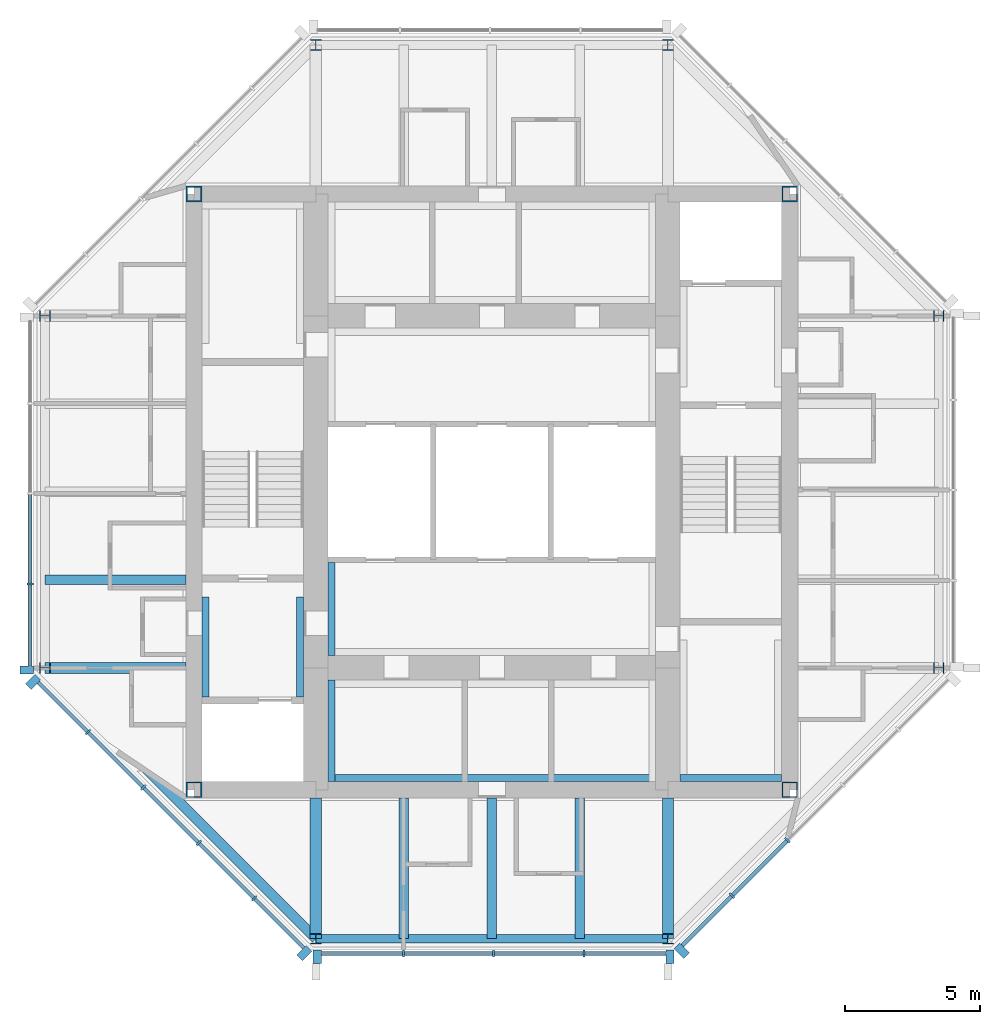
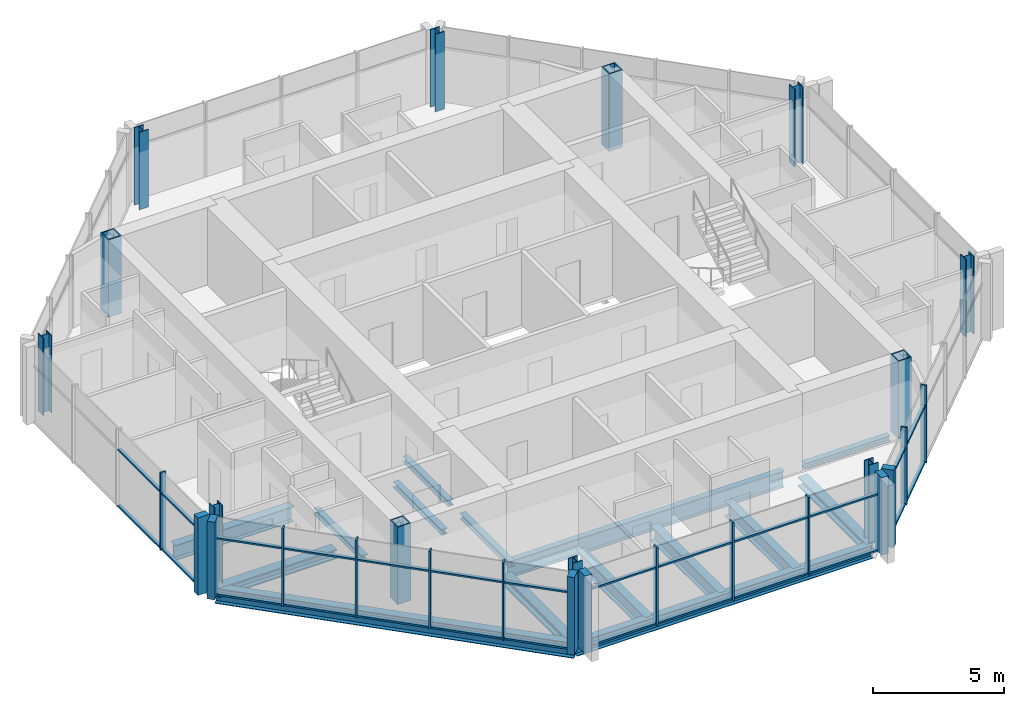
# One storey, part 1 of 9: 42 members, 15 beams, 12 columns, 4 elements without a shape of their own.
"""IFC4 building model written with IfcOpenShell, lengths in metres."""

from ifc_helpers import new_model, si_unit, direction, frame, origin, origin_2d, place, context, subcontext, project, spatial, rectangle, hollow_rectangle, i_section, extrude, material, material_profile, profile_set, type_object, element, aggregate, save


model = new_model("IFC4")

# Units and contexts
model_context = context("Model", 3, precision=1e-05, world=origin(), true_north=direction((0.0, 1.0)))
body_context = subcontext(model_context, "Body", "Model", "MODEL_VIEW")
ifc_project = project(units=[si_unit("LENGTHUNIT", "METRE"), si_unit("AREAUNIT", "SQUARE_METRE"), si_unit("VOLUMEUNIT", "CUBIC_METRE"), si_unit("PLANEANGLEUNIT", "RADIAN"), si_unit("MASSUNIT", "GRAM", prefix="KILO")], contexts=[model_context])

# Site, building, storey
site_placement = place(None, origin())
site = spatial("IfcSite", under=ifc_project, at=site_placement, CompositionType="ELEMENT")
building_placement = place(site_placement, origin())
building = spatial("IfcBuilding", under=site, at=building_placement, Name="Trevanion Tower", CompositionType="ELEMENT")
storey_placement = place(building_placement, frame((0.0, 0.0, 288.39990234375)))
storey = spatial("IfcBuildingStorey", under=building, at=storey_placement, Name="L71", CompositionType="ELEMENT", Elevation=288.39990234375)

# Columns
ifc_material_1 = material(Name="Steel ASTM A913 Grade 65", Category="steel")
ifc_material_profile_1 = material_profile(ifc_material_1, i_section(OverallWidth=0.4013671875, OverallDepth=0.398681640625, WebThickness=0.02490234375, FlangeThickness=0.03955078125, at=origin_2d()), Name="W14X211")
ifc_profile_set_1 = profile_set([ifc_material_profile_1], Name="Steel ASTM A913 Grade 65")
column_type_1 = type_object("IfcColumnType", Name="C6 W14X211", PredefinedType="COLUMN", material=ifc_profile_set_1)
for number, where, z_axis, x_axis, name in (
    (1, (-16.5, -6.5, 0.0), (0.0, 0.0, 1.0), (0.0, 1.0, 0.0), "C6 7/G L71"),
    (2, (-6.5, -16.5, 0.0), (0.0, 0.0, 1.0), (1.0, 0.0, 0.0), "C6 9/E L71"),
    (3, (6.5, -16.5, 0.0), (0.0, 0.0, 1.0), (1.0, 0.0, 0.0), "C6 11/E L71"),
    (4, (16.5, -6.5, 0.0), (0.0, 0.0, 1.0), (0.0, 1.0, 0.0), "C6 13/G L71"),
    (5, (16.5, 6.5, 0.0), (0.0, 0.0, 1.0), (0.0, 1.0, 0.0), "C6 13/J L71"),
    (6, (6.5, 16.5, 0.0), (0.0, 0.0, 1.0), (1.0, 0.0, 0.0), "C6 11/L L71"),
    (7, (-6.5, 16.5, 0.0), (0.0, 0.0, 1.0), (1.0, 0.0, 0.0), "C6 9/L L71"),
    (8, (-16.5, 6.5, 0.0), (0.0, 0.0, 1.0), (0.0, 1.0, 0.0), "C6 7/J L71"),
):
    element("IfcColumn", number, at=place(storey_placement, frame(where, z_axis=z_axis, x_axis=x_axis)), inside=storey, type_object=column_type_1, Name=name, PredefinedType="COLUMN", context=body_context, shape_type="SweptSolid", body=[
        extrude(i_section(OverallWidth=0.4013671875, OverallDepth=0.398681640625, WebThickness=0.02490234375, FlangeThickness=0.03955078125, at=origin_2d()), origin(), (0.0, 0.0, 1.0), 3.60009765625),
    ])
ifc_material_2 = material(Name="Steel ASTM A572 Grade 50", Category="steel")
ifc_material_profile_2 = material_profile(ifc_material_2, hollow_rectangle(XDim=0.584228515625, YDim=0.584228515625, WallThickness=0.05078125, at=origin_2d()), Name="BOX23X23X2")
ifc_profile_set_2 = profile_set([ifc_material_profile_2], Name="Steel ASTM A572 Grade 50")
column_type_2 = type_object("IfcColumnType", Name="CB1 BOX23X23X2", PredefinedType="COLUMN", material=ifc_profile_set_2)
for number, where, z_axis, x_axis, name in (
    (9, (11.0, 11.0, 0.0), (0.0, 0.0, 1.0), (1.0, 0.0, 0.0), "CB1 NE L71"),
    (10, (-11.0, 11.0, 0.0), (0.0, 0.0, 1.0), (1.0, 0.0, 0.0), "CB1 NW L71"),
    (11, (-11.0, -11.0, 0.0), (0.0, 0.0, 1.0), (1.0, 0.0, 0.0), "CB1 SW L71"),
    (12, (11.0, -11.0, 0.0), (0.0, 0.0, 1.0), (1.0, 0.0, 0.0), "CB1 SE L71"),
):
    element("IfcColumn", number, at=place(storey_placement, frame(where, z_axis=z_axis, x_axis=x_axis)), inside=storey, type_object=column_type_2, Name=name, PredefinedType="COLUMN", context=body_context, shape_type="SweptSolid", body=[
        extrude(hollow_rectangle(XDim=0.584228515625, YDim=0.584228515625, WallThickness=0.05078125, at=origin_2d()), origin(), (0.0, 0.0, 1.0), 3.60009765625),
    ])

# Beams
ifc_material_3 = material(Name="Steel ASTM A992 Grade 50", Category="steel")
ifc_material_profile_3 = material_profile(ifc_material_3, i_section(OverallWidth=0.355712890625, OverallDepth=0.700927734375, WebThickness=0.016845703125, FlangeThickness=0.02734375, at=origin_2d()), Name="W27X161")
ifc_profile_set_3 = profile_set([ifc_material_profile_3], Name="Steel ASTM A992 Grade 50")
beam_type_1 = type_object("IfcBeamType", Name="B15 W27X161", PredefinedType="BEAM", material=ifc_profile_set_3)
for number, where, z_axis, x_axis, name in (
    (13, (-11.300048828125, -3.25, -0.540283203125), (-1.0, 0.0, 0.0), (0.0, -1.0, 0.0), "B15 L71"),
    (14, (-3.25, -11.300048828125, -0.540283203125), (0.0, -1.0, 0.0), (1.0, 0.0, 0.0), "B15 L71"),
    (15, (0.0, -11.300048828125, -0.540283203125), (0.0, -1.0, 0.0), (1.0, 0.0, 0.0), "B15 L71"),
    (16, (3.25, -11.300048828125, -0.540283203125), (0.0, -1.0, 0.0), (1.0, 0.0, 0.0), "B15 L71"),
):
    element("IfcBeam", number, at=place(storey_placement, frame(where, z_axis=z_axis, x_axis=x_axis)), inside=storey, type_object=beam_type_1, Name=name, PredefinedType="BEAM", context=body_context, shape_type="SweptSolid", body=[
        extrude(i_section(OverallWidth=0.355712890625, OverallDepth=0.700927734375, WebThickness=0.016845703125, FlangeThickness=0.02734375, at=origin_2d()), origin(), (0.0, 0.0, 1.0), 5.199951171875),
    ])

# Curtain wall, member
ifc_material_4 = material(Name="Aluminium and glass", Category="aluminium")
curtain_wall_type = type_object("IfcCurtainWallType", Name="CW4 curtain wall", PredefinedType="USERDEFINED", material=ifc_material_4)
curtain_wall_1_placement = place(storey_placement, origin())
curtain_wall_1 = element("IfcCurtainWall", 17, at=curtain_wall_1_placement, inside=storey, type_object=curtain_wall_type, Name="CW4 L71 4", ObjectType="UNITISED CURTAIN WALL", PredefinedType="USERDEFINED")
ifc_material_5 = material(Name="Aluminium extrusion, anodised bronze", Category="aluminium")
ifc_material_profile_4 = material_profile(ifc_material_5, rectangle(XDim=0.074951171875, YDim=0.25, at=origin_2d()), Name="CW4 mullion")
ifc_profile_set_4 = profile_set([ifc_material_profile_4], Name="Aluminium extrusion, anodised bronze")
member_type_1 = type_object("IfcMemberType", Name="CW4 mullion", PredefinedType="MULLION", material=ifc_profile_set_4)
member_1_placement = place(storey_placement, frame((-17.050048828125, -3.396484375, -0.18994140625), z_axis=(0.0, 0.0, 1.0), x_axis=(0.0, -1.0, 0.0)))
member_1 = element("IfcMember", 18, at=member_1_placement, type_object=member_type_1, Name="CW4 mullion 4", PredefinedType="MULLION", context=body_context, shape_type="SweptSolid", body=[
    extrude(rectangle(XDim=0.074951171875, YDim=0.25, at=origin_2d()), origin(), (0.0, 0.0, 1.0), 3.60009765625),
])

# Curtain wall, members
curtain_wall_2_placement = place(storey_placement, origin())
curtain_wall_2 = element("IfcCurtainWall", 19, at=curtain_wall_2_placement, inside=storey, type_object=curtain_wall_type, Name="CW4 L71 5", ObjectType="UNITISED CURTAIN WALL", PredefinedType="USERDEFINED")
member_2_placement = place(storey_placement, frame((-14.912109375, -8.86572265625, -0.18994140625), z_axis=(0.0, 0.0, 1.0), x_axis=(0.707106781187, -0.707106781187, 0.0)))
member_2 = element("IfcMember", 20, at=member_2_placement, type_object=member_type_1, Name="CW4 mullion 2", PredefinedType="MULLION", context=body_context, shape_type="SweptSolid", body=[
    extrude(rectangle(XDim=0.074951171875, YDim=0.25, at=origin_2d()), origin(), (0.0, 0.0, 1.0), 3.60009765625),
])
member_3_placement = place(storey_placement, frame((-12.865966796875, -10.911865234375, -0.18994140625), z_axis=(0.0, 0.0, 1.0), x_axis=(0.707106781187, -0.707106781187, 0.0)))
member_3 = element("IfcMember", 21, at=member_3_placement, type_object=member_type_1, Name="CW4 mullion 3", PredefinedType="MULLION", context=body_context, shape_type="SweptSolid", body=[
    extrude(rectangle(XDim=0.074951171875, YDim=0.25, at=origin_2d()), origin(), (0.0, 0.0, 1.0), 3.60009765625),
])
member_4_placement = place(storey_placement, frame((-10.81982421875, -12.9580078125, -0.18994140625), z_axis=(0.0, 0.0, 1.0), x_axis=(0.707106781187, -0.707106781187, 0.0)))
member_4 = element("IfcMember", 22, at=member_4_placement, type_object=member_type_1, Name="CW4 mullion 4", PredefinedType="MULLION", context=body_context, shape_type="SweptSolid", body=[
    extrude(rectangle(XDim=0.074951171875, YDim=0.25, at=origin_2d()), origin(), (0.0, 0.0, 1.0), 3.60009765625),
])
member_5_placement = place(storey_placement, frame((-8.77392578125, -15.00390625, -0.18994140625), z_axis=(0.0, 0.0, 1.0), x_axis=(0.707106781187, -0.707106781187, 0.0)))
member_5 = element("IfcMember", 23, at=member_5_placement, type_object=member_type_1, Name="CW4 mullion 5", PredefinedType="MULLION", context=body_context, shape_type="SweptSolid", body=[
    extrude(rectangle(XDim=0.074951171875, YDim=0.25, at=origin_2d()), origin(), (0.0, 0.0, 1.0), 3.60009765625),
])

curtain_wall_3_placement = place(storey_placement, origin())
curtain_wall_3 = element("IfcCurtainWall", 24, at=curtain_wall_3_placement, inside=storey, type_object=curtain_wall_type, Name="CW4 L71 6", ObjectType="UNITISED CURTAIN WALL", PredefinedType="USERDEFINED")
member_6_placement = place(storey_placement, frame((-3.266357421875, -17.050048828125, -0.18994140625), z_axis=(0.0, 0.0, 1.0), x_axis=(1.0, 0.0, 0.0)))
member_6 = element("IfcMember", 25, at=member_6_placement, type_object=member_type_1, Name="CW4 mullion 2", PredefinedType="MULLION", context=body_context, shape_type="SweptSolid", body=[
    extrude(rectangle(XDim=0.074951171875, YDim=0.25, at=origin_2d()), origin(), (0.0, 0.0, 1.0), 3.60009765625),
])
member_7_placement = place(storey_placement, frame((0.06494140625, -17.050048828125, -0.18994140625), z_axis=(0.0, 0.0, 1.0), x_axis=(1.0, 0.0, 0.0)))
member_7 = element("IfcMember", 26, at=member_7_placement, type_object=member_type_1, Name="CW4 mullion 3", PredefinedType="MULLION", context=body_context, shape_type="SweptSolid", body=[
    extrude(rectangle(XDim=0.074951171875, YDim=0.25, at=origin_2d()), origin(), (0.0, 0.0, 1.0), 3.60009765625),
])
member_8_placement = place(storey_placement, frame((3.396484375, -17.050048828125, -0.18994140625), z_axis=(0.0, 0.0, 1.0), x_axis=(1.0, 0.0, 0.0)))
member_8 = element("IfcMember", 27, at=member_8_placement, type_object=member_type_1, Name="CW4 mullion 4", PredefinedType="MULLION", context=body_context, shape_type="SweptSolid", body=[
    extrude(rectangle(XDim=0.074951171875, YDim=0.25, at=origin_2d()), origin(), (0.0, 0.0, 1.0), 3.60009765625),
])

curtain_wall_4_placement = place(storey_placement, origin())
curtain_wall_4 = element("IfcCurtainWall", 28, at=curtain_wall_4_placement, inside=storey, type_object=curtain_wall_type, Name="CW4 L71 7", ObjectType="UNITISED CURTAIN WALL", PredefinedType="USERDEFINED")
member_9_placement = place(storey_placement, frame((8.86572265625, -14.912109375, -0.18994140625), z_axis=(0.0, 0.0, 1.0), x_axis=(0.707106781187, 0.707106781187, 0.0)))
member_9 = element("IfcMember", 29, at=member_9_placement, type_object=member_type_1, Name="CW4 mullion 2", PredefinedType="MULLION", context=body_context, shape_type="SweptSolid", body=[
    extrude(rectangle(XDim=0.074951171875, YDim=0.25, at=origin_2d()), origin(), (0.0, 0.0, 1.0), 3.60009765625),
])
member_10_placement = place(storey_placement, frame((10.911865234375, -12.865966796875, -0.18994140625), z_axis=(0.0, 0.0, 1.0), x_axis=(0.707106781187, 0.707106781187, 0.0)))
member_10 = element("IfcMember", 30, at=member_10_placement, type_object=member_type_1, Name="CW4 mullion 3", PredefinedType="MULLION", context=body_context, shape_type="SweptSolid", body=[
    extrude(rectangle(XDim=0.074951171875, YDim=0.25, at=origin_2d()), origin(), (0.0, 0.0, 1.0), 3.60009765625),
])

# Member
ifc_material_6 = material(Name="Aluminium extrusion, anodised bronze", Category="aluminium")
ifc_material_profile_5 = material_profile(ifc_material_6, rectangle(XDim=0.300048828125, YDim=0.5, at=origin_2d()), Name="CW4 pier mullion")
ifc_profile_set_5 = profile_set([ifc_material_profile_5], Name="Aluminium extrusion, anodised bronze")
member_type_2 = type_object("IfcMemberType", Name="CW4 pier mullion", PredefinedType="MULLION", material=ifc_profile_set_5)
member_11_placement = place(storey_placement, frame((-17.175048828125, -6.577880859375, -0.18994140625), z_axis=(0.0, 0.0, 1.0), x_axis=(0.0, -1.0, 0.0)))
member_11 = element("IfcMember", 31, at=member_11_placement, type_object=member_type_2, Name="CW4 pier mullion 5", PredefinedType="MULLION", context=body_context, shape_type="SweptSolid", body=[
    extrude(rectangle(XDim=0.300048828125, YDim=0.5, at=origin_2d()), origin(), (0.0, 0.0, 1.0), 3.60009765625),
])

member_12_placement = place(storey_placement, frame((-16.9404296875, -7.01416015625, -0.18994140625), z_axis=(0.0, 0.0, 1.0), x_axis=(0.707106781187, -0.707106781187, 0.0)))
member_12 = element("IfcMember", 32, at=member_12_placement, type_object=member_type_2, Name="CW4 pier mullion 1", PredefinedType="MULLION", context=body_context, shape_type="SweptSolid", body=[
    extrude(rectangle(XDim=0.300048828125, YDim=0.5, at=origin_2d()), origin(), (0.0, 0.0, 1.0), 3.60009765625),
])

member_13_placement = place(storey_placement, frame((-6.92236328125, -17.0322265625, -0.18994140625), z_axis=(0.0, 0.0, 1.0), x_axis=(0.707106781187, -0.707106781187, 0.0)))
member_13 = element("IfcMember", 33, at=member_13_placement, type_object=member_type_2, Name="CW4 pier mullion 6", PredefinedType="MULLION", context=body_context, shape_type="SweptSolid", body=[
    extrude(rectangle(XDim=0.300048828125, YDim=0.5, at=origin_2d()), origin(), (0.0, 0.0, 1.0), 3.60009765625),
])

member_14_placement = place(storey_placement, frame((-6.44775390625, -17.175048828125, -0.18994140625), z_axis=(0.0, 0.0, 1.0), x_axis=(1.0, 0.0, 0.0)))
member_14 = element("IfcMember", 34, at=member_14_placement, type_object=member_type_2, Name="CW4 pier mullion 1", PredefinedType="MULLION", context=body_context, shape_type="SweptSolid", body=[
    extrude(rectangle(XDim=0.300048828125, YDim=0.5, at=origin_2d()), origin(), (0.0, 0.0, 1.0), 3.60009765625),
])

member_15_placement = place(storey_placement, frame((6.577880859375, -17.175048828125, -0.18994140625), z_axis=(0.0, 0.0, 1.0), x_axis=(1.0, 0.0, 0.0)))
member_15 = element("IfcMember", 35, at=member_15_placement, type_object=member_type_2, Name="CW4 pier mullion 5", PredefinedType="MULLION", context=body_context, shape_type="SweptSolid", body=[
    extrude(rectangle(XDim=0.300048828125, YDim=0.5, at=origin_2d()), origin(), (0.0, 0.0, 1.0), 3.60009765625),
])

member_16_placement = place(storey_placement, frame((7.01416015625, -16.9404296875, -0.18994140625), z_axis=(0.0, 0.0, 1.0), x_axis=(0.707106781187, 0.707106781187, 0.0)))
member_16 = element("IfcMember", 36, at=member_16_placement, type_object=member_type_2, Name="CW4 pier mullion 1", PredefinedType="MULLION", context=body_context, shape_type="SweptSolid", body=[
    extrude(rectangle(XDim=0.300048828125, YDim=0.5, at=origin_2d()), origin(), (0.0, 0.0, 1.0), 3.60009765625),
])

ifc_material_7 = material(Name="Aluminium extrusion, anodised bronze", Category="aluminium")
ifc_material_profile_6 = material_profile(ifc_material_7, rectangle(XDim=0.14990234375, YDim=0.074951171875, at=origin_2d()), Name="CW4 transom")
ifc_profile_set_6 = profile_set([ifc_material_profile_6], Name="Aluminium extrusion, anodised bronze")
member_type_3 = type_object("IfcMemberType", Name="CW4 transom", PredefinedType="USERDEFINED", material=ifc_profile_set_6)
member_17_placement = place(storey_placement, frame((-17.050048828125, -0.1025390625, -0.15234375), z_axis=(0.0, -1.0, 0.0), x_axis=(1.0, 0.0, 0.0)))
member_17 = element("IfcMember", 37, at=member_17_placement, type_object=member_type_3, Name="CW4 transom 3.1", ObjectType="TRANSOM", PredefinedType="USERDEFINED", context=body_context, shape_type="SweptSolid", body=[
    extrude(rectangle(XDim=0.14990234375, YDim=0.074951171875, at=origin_2d()), origin(), (0.0, 0.0, 1.0), 3.25634765625),
])

member_18_placement = place(storey_placement, frame((-17.050048828125, -0.1025390625, 2.460205078125), z_axis=(0.0, -1.0, 0.0), x_axis=(1.0, 0.0, 0.0)))
member_18 = element("IfcMember", 38, at=member_18_placement, type_object=member_type_3, Name="CW4 transom 3.2", ObjectType="TRANSOM", PredefinedType="USERDEFINED", context=body_context, shape_type="SweptSolid", body=[
    extrude(rectangle(XDim=0.14990234375, YDim=0.074951171875, at=origin_2d()), origin(), (0.0, 0.0, 1.0), 3.25634765625),
])

member_19_placement = place(storey_placement, frame((-17.050048828125, -3.433837890625, -0.15234375), z_axis=(0.0, -1.0, 0.0), x_axis=(1.0, 0.0, 0.0)))
member_19 = element("IfcMember", 39, at=member_19_placement, type_object=member_type_3, Name="CW4 transom 4.1", ObjectType="TRANSOM", PredefinedType="USERDEFINED", context=body_context, shape_type="SweptSolid", body=[
    extrude(rectangle(XDim=0.14990234375, YDim=0.074951171875, at=origin_2d()), origin(), (0.0, 0.0, 1.0), 2.993896484375),
])

member_20_placement = place(storey_placement, frame((-17.050048828125, -3.433837890625, 2.460205078125), z_axis=(0.0, -1.0, 0.0), x_axis=(1.0, 0.0, 0.0)))
member_20 = element("IfcMember", 40, at=member_20_placement, type_object=member_type_3, Name="CW4 transom 4.2", ObjectType="TRANSOM", PredefinedType="USERDEFINED", context=body_context, shape_type="SweptSolid", body=[
    extrude(rectangle(XDim=0.14990234375, YDim=0.074951171875, at=origin_2d()), origin(), (0.0, 0.0, 1.0), 2.993896484375),
])

aggregate(curtain_wall_1, [member_1, member_11, member_17, member_18, member_19, member_20])

member_21_placement = place(storey_placement, frame((-16.745849609375, -7.031982421875, -0.15234375), z_axis=(0.707106781187, -0.707106781187, 0.0), x_axis=(0.707106781187, 0.707106781187, 0.0)))
member_21 = element("IfcMember", 41, at=member_21_placement, type_object=member_type_3, Name="CW4 transom 1.1", ObjectType="TRANSOM", PredefinedType="USERDEFINED", context=body_context, shape_type="SweptSolid", body=[
    extrude(rectangle(XDim=0.14990234375, YDim=0.074951171875, at=origin_2d()), origin(), (0.0, 0.0, 1.0), 2.555908203125),
])

member_22_placement = place(storey_placement, frame((-16.745849609375, -7.031982421875, 2.460205078125), z_axis=(0.707106781187, -0.707106781187, 0.0), x_axis=(0.707106781187, 0.707106781187, 0.0)))
member_22 = element("IfcMember", 42, at=member_22_placement, type_object=member_type_3, Name="CW4 transom 1.2", ObjectType="TRANSOM", PredefinedType="USERDEFINED", context=body_context, shape_type="SweptSolid", body=[
    extrude(rectangle(XDim=0.14990234375, YDim=0.074951171875, at=origin_2d()), origin(), (0.0, 0.0, 1.0), 2.555908203125),
])

member_23_placement = place(storey_placement, frame((-14.885498046875, -8.892333984375, -0.15234375), z_axis=(0.707106781187, -0.707106781187, 0.0), x_axis=(0.707106781187, 0.707106781187, 0.0)))
member_23 = element("IfcMember", 43, at=member_23_placement, type_object=member_type_3, Name="CW4 transom 2.1", ObjectType="TRANSOM", PredefinedType="USERDEFINED", context=body_context, shape_type="SweptSolid", body=[
    extrude(rectangle(XDim=0.14990234375, YDim=0.074951171875, at=origin_2d()), origin(), (0.0, 0.0, 1.0), 2.818359375),
])

member_24_placement = place(storey_placement, frame((-14.885498046875, -8.892333984375, 2.460205078125), z_axis=(0.707106781187, -0.707106781187, 0.0), x_axis=(0.707106781187, 0.707106781187, 0.0)))
member_24 = element("IfcMember", 44, at=member_24_placement, type_object=member_type_3, Name="CW4 transom 2.2", ObjectType="TRANSOM", PredefinedType="USERDEFINED", context=body_context, shape_type="SweptSolid", body=[
    extrude(rectangle(XDim=0.14990234375, YDim=0.074951171875, at=origin_2d()), origin(), (0.0, 0.0, 1.0), 2.818359375),
])

member_25_placement = place(storey_placement, frame((-12.839599609375, -10.9384765625, -0.15234375), z_axis=(0.707150088905, -0.707063470815, 0.0), x_axis=(0.707063470815, 0.707150088905, 0.0)))
member_25 = element("IfcMember", 45, at=member_25_placement, type_object=member_type_3, Name="CW4 transom 3.1", ObjectType="TRANSOM", PredefinedType="USERDEFINED", context=body_context, shape_type="SweptSolid", body=[
    extrude(rectangle(XDim=0.14990234375, YDim=0.074951171875, at=origin_2d()), origin(), (0.0, 0.0, 1.0), 2.818603515625),
])

member_26_placement = place(storey_placement, frame((-12.839599609375, -10.9384765625, 2.460205078125), z_axis=(0.707150088905, -0.707063470815, 0.0), x_axis=(0.707063470815, 0.707150088905, 0.0)))
member_26 = element("IfcMember", 46, at=member_26_placement, type_object=member_type_3, Name="CW4 transom 3.2", ObjectType="TRANSOM", PredefinedType="USERDEFINED", context=body_context, shape_type="SweptSolid", body=[
    extrude(rectangle(XDim=0.14990234375, YDim=0.074951171875, at=origin_2d()), origin(), (0.0, 0.0, 1.0), 2.818603515625),
])

member_27_placement = place(storey_placement, frame((-10.79345703125, -12.984375, -0.15234375), z_axis=(0.707150088905, -0.707063470815, 0.0), x_axis=(0.707063470815, 0.707150088905, 0.0)))
member_27 = element("IfcMember", 47, at=member_27_placement, type_object=member_type_3, Name="CW4 transom 4.1", ObjectType="TRANSOM", PredefinedType="USERDEFINED", context=body_context, shape_type="SweptSolid", body=[
    extrude(rectangle(XDim=0.14990234375, YDim=0.074951171875, at=origin_2d()), origin(), (0.0, 0.0, 1.0), 2.818603515625),
])

member_28_placement = place(storey_placement, frame((-10.79345703125, -12.984375, 2.460205078125), z_axis=(0.707150088905, -0.707063470815, 0.0), x_axis=(0.707063470815, 0.707150088905, 0.0)))
member_28 = element("IfcMember", 48, at=member_28_placement, type_object=member_type_3, Name="CW4 transom 4.2", ObjectType="TRANSOM", PredefinedType="USERDEFINED", context=body_context, shape_type="SweptSolid", body=[
    extrude(rectangle(XDim=0.14990234375, YDim=0.074951171875, at=origin_2d()), origin(), (0.0, 0.0, 1.0), 2.818603515625),
])

member_29_placement = place(storey_placement, frame((-8.747314453125, -15.030517578125, -0.15234375), z_axis=(0.707106781187, -0.707106781187, 0.0), x_axis=(0.707106781187, 0.707106781187, 0.0)))
member_29 = element("IfcMember", 49, at=member_29_placement, type_object=member_type_3, Name="CW4 transom 5.1", ObjectType="TRANSOM", PredefinedType="USERDEFINED", context=body_context, shape_type="SweptSolid", body=[
    extrude(rectangle(XDim=0.14990234375, YDim=0.074951171875, at=origin_2d()), origin(), (0.0, 0.0, 1.0), 2.555908203125),
])

member_30_placement = place(storey_placement, frame((-8.747314453125, -15.030517578125, 2.460205078125), z_axis=(0.707106781187, -0.707106781187, 0.0), x_axis=(0.707106781187, 0.707106781187, 0.0)))
member_30 = element("IfcMember", 50, at=member_30_placement, type_object=member_type_3, Name="CW4 transom 5.2", ObjectType="TRANSOM", PredefinedType="USERDEFINED", context=body_context, shape_type="SweptSolid", body=[
    extrude(rectangle(XDim=0.14990234375, YDim=0.074951171875, at=origin_2d()), origin(), (0.0, 0.0, 1.0), 2.555908203125),
])

aggregate(curtain_wall_2, [member_12, member_2, member_3, member_4, member_5, member_13, member_21, member_22, member_23, member_24, member_25, member_26, member_27, member_28, member_29, member_30])

member_31_placement = place(storey_placement, frame((-6.2978515625, -17.050048828125, -0.15234375), z_axis=(1.0, 0.0, 0.0), x_axis=(0.0, 1.0, 0.0)))
member_31 = element("IfcMember", 51, at=member_31_placement, type_object=member_type_3, Name="CW4 transom 1.1", ObjectType="TRANSOM", PredefinedType="USERDEFINED", context=body_context, shape_type="SweptSolid", body=[
    extrude(rectangle(XDim=0.14990234375, YDim=0.074951171875, at=origin_2d()), origin(), (0.0, 0.0, 1.0), 2.993896484375),
])

member_32_placement = place(storey_placement, frame((-6.2978515625, -17.050048828125, 2.460205078125), z_axis=(1.0, 0.0, 0.0), x_axis=(0.0, 1.0, 0.0)))
member_32 = element("IfcMember", 52, at=member_32_placement, type_object=member_type_3, Name="CW4 transom 1.2", ObjectType="TRANSOM", PredefinedType="USERDEFINED", context=body_context, shape_type="SweptSolid", body=[
    extrude(rectangle(XDim=0.14990234375, YDim=0.074951171875, at=origin_2d()), origin(), (0.0, 0.0, 1.0), 2.993896484375),
])

member_33_placement = place(storey_placement, frame((-3.22900390625, -17.050048828125, -0.15234375), z_axis=(1.0, 0.0, 0.0), x_axis=(0.0, 1.0, 0.0)))
member_33 = element("IfcMember", 53, at=member_33_placement, type_object=member_type_3, Name="CW4 transom 2.1", ObjectType="TRANSOM", PredefinedType="USERDEFINED", context=body_context, shape_type="SweptSolid", body=[
    extrude(rectangle(XDim=0.14990234375, YDim=0.074951171875, at=origin_2d()), origin(), (0.0, 0.0, 1.0), 3.256591796875),
])

member_34_placement = place(storey_placement, frame((-3.22900390625, -17.050048828125, 2.460205078125), z_axis=(1.0, 0.0, 0.0), x_axis=(0.0, 1.0, 0.0)))
member_34 = element("IfcMember", 54, at=member_34_placement, type_object=member_type_3, Name="CW4 transom 2.2", ObjectType="TRANSOM", PredefinedType="USERDEFINED", context=body_context, shape_type="SweptSolid", body=[
    extrude(rectangle(XDim=0.14990234375, YDim=0.074951171875, at=origin_2d()), origin(), (0.0, 0.0, 1.0), 3.256591796875),
])

member_35_placement = place(storey_placement, frame((0.1025390625, -17.050048828125, -0.15234375), z_axis=(1.0, 0.0, 0.0), x_axis=(0.0, 1.0, 0.0)))
member_35 = element("IfcMember", 55, at=member_35_placement, type_object=member_type_3, Name="CW4 transom 3.1", ObjectType="TRANSOM", PredefinedType="USERDEFINED", context=body_context, shape_type="SweptSolid", body=[
    extrude(rectangle(XDim=0.14990234375, YDim=0.074951171875, at=origin_2d()), origin(), (0.0, 0.0, 1.0), 3.25634765625),
])

member_36_placement = place(storey_placement, frame((0.1025390625, -17.050048828125, 2.460205078125), z_axis=(1.0, 0.0, 0.0), x_axis=(0.0, 1.0, 0.0)))
member_36 = element("IfcMember", 56, at=member_36_placement, type_object=member_type_3, Name="CW4 transom 3.2", ObjectType="TRANSOM", PredefinedType="USERDEFINED", context=body_context, shape_type="SweptSolid", body=[
    extrude(rectangle(XDim=0.14990234375, YDim=0.074951171875, at=origin_2d()), origin(), (0.0, 0.0, 1.0), 3.25634765625),
])

member_37_placement = place(storey_placement, frame((3.433837890625, -17.050048828125, -0.15234375), z_axis=(1.0, 0.0, 0.0), x_axis=(0.0, 1.0, 0.0)))
member_37 = element("IfcMember", 57, at=member_37_placement, type_object=member_type_3, Name="CW4 transom 4.1", ObjectType="TRANSOM", PredefinedType="USERDEFINED", context=body_context, shape_type="SweptSolid", body=[
    extrude(rectangle(XDim=0.14990234375, YDim=0.074951171875, at=origin_2d()), origin(), (0.0, 0.0, 1.0), 2.993896484375),
])

member_38_placement = place(storey_placement, frame((3.433837890625, -17.050048828125, 2.460205078125), z_axis=(1.0, 0.0, 0.0), x_axis=(0.0, 1.0, 0.0)))
member_38 = element("IfcMember", 58, at=member_38_placement, type_object=member_type_3, Name="CW4 transom 4.2", ObjectType="TRANSOM", PredefinedType="USERDEFINED", context=body_context, shape_type="SweptSolid", body=[
    extrude(rectangle(XDim=0.14990234375, YDim=0.074951171875, at=origin_2d()), origin(), (0.0, 0.0, 1.0), 2.993896484375),
])

aggregate(curtain_wall_3, [member_14, member_6, member_7, member_8, member_15, member_31, member_32, member_33, member_34, member_35, member_36, member_37, member_38])

member_39_placement = place(storey_placement, frame((7.031982421875, -16.745849609375, -0.15234375), z_axis=(0.707106781187, 0.707106781187, 0.0), x_axis=(-0.707106781187, 0.707106781187, 0.0)))
member_39 = element("IfcMember", 59, at=member_39_placement, type_object=member_type_3, Name="CW4 transom 1.1", ObjectType="TRANSOM", PredefinedType="USERDEFINED", context=body_context, shape_type="SweptSolid", body=[
    extrude(rectangle(XDim=0.14990234375, YDim=0.074951171875, at=origin_2d()), origin(), (0.0, 0.0, 1.0), 2.555908203125),
])

member_40_placement = place(storey_placement, frame((7.031982421875, -16.745849609375, 2.460205078125), z_axis=(0.707106781187, 0.707106781187, 0.0), x_axis=(-0.707106781187, 0.707106781187, 0.0)))
member_40 = element("IfcMember", 60, at=member_40_placement, type_object=member_type_3, Name="CW4 transom 1.2", ObjectType="TRANSOM", PredefinedType="USERDEFINED", context=body_context, shape_type="SweptSolid", body=[
    extrude(rectangle(XDim=0.14990234375, YDim=0.074951171875, at=origin_2d()), origin(), (0.0, 0.0, 1.0), 2.555908203125),
])

member_41_placement = place(storey_placement, frame((8.892333984375, -14.885498046875, -0.15234375), z_axis=(0.707106781187, 0.707106781187, 0.0), x_axis=(-0.707106781187, 0.707106781187, 0.0)))
member_41 = element("IfcMember", 61, at=member_41_placement, type_object=member_type_3, Name="CW4 transom 2.1", ObjectType="TRANSOM", PredefinedType="USERDEFINED", context=body_context, shape_type="SweptSolid", body=[
    extrude(rectangle(XDim=0.14990234375, YDim=0.074951171875, at=origin_2d()), origin(), (0.0, 0.0, 1.0), 2.818359375),
])

member_42_placement = place(storey_placement, frame((8.892333984375, -14.885498046875, 2.460205078125), z_axis=(0.707106781187, 0.707106781187, 0.0), x_axis=(-0.707106781187, 0.707106781187, 0.0)))
member_42 = element("IfcMember", 62, at=member_42_placement, type_object=member_type_3, Name="CW4 transom 2.2", ObjectType="TRANSOM", PredefinedType="USERDEFINED", context=body_context, shape_type="SweptSolid", body=[
    extrude(rectangle(XDim=0.14990234375, YDim=0.074951171875, at=origin_2d()), origin(), (0.0, 0.0, 1.0), 2.818359375),
])

aggregate(curtain_wall_4, [member_16, member_9, member_10, member_39, member_40, member_41, member_42])

# Beams
ifc_material_8 = material(Name="Steel ASTM A992 Grade 50", Category="steel")
ifc_material_profile_7 = material_profile(ifc_material_8, i_section(OverallWidth=0.41650390625, OverallDepth=0.444580078125, WebThickness=0.0390625, FlangeThickness=0.062744140625, at=origin_2d()), Name="W14X342")
ifc_profile_set_7 = profile_set([ifc_material_profile_7], Name="Steel ASTM A992 Grade 50")
beam_type_2 = type_object("IfcBeamType", Name="G8 W14X342", PredefinedType="BEAM", material=ifc_profile_set_7)
for number, where, z_axis, x_axis, name in (
    (63, (-11.300048828125, -6.5, -0.412109375), (-1.0, 0.0, 0.0), (0.0, -1.0, 0.0), "G8 L71"),
    (64, (-6.5, -11.300048828125, -0.412109375), (0.0, -1.0, 0.0), (1.0, 0.0, 0.0), "G8 L71"),
    (65, (6.5, -11.300048828125, -0.412109375), (0.0, -1.0, 0.0), (1.0, 0.0, 0.0), "G8 L71"),
):
    element("IfcBeam", number, at=place(storey_placement, frame(where, z_axis=z_axis, x_axis=x_axis)), inside=storey, type_object=beam_type_2, Name=name, PredefinedType="BEAM", context=body_context, shape_type="SweptSolid", body=[
        extrude(i_section(OverallWidth=0.41650390625, OverallDepth=0.444580078125, WebThickness=0.0390625, FlangeThickness=0.062744140625, at=origin_2d()), origin(), (0.0, 0.0, 1.0), 5.199951171875),
    ])
ifc_material_9 = material(Name="Steel ASTM A992 Grade 50", Category="steel")
ifc_material_profile_8 = material_profile(ifc_material_9, i_section(OverallWidth=0.256591796875, OverallDepth=0.26416015625, WebThickness=0.011962890625, FlangeThickness=0.01953125, at=origin_2d()), Name="W10X68")
ifc_profile_set_8 = profile_set([ifc_material_profile_8], Name="Steel ASTM A992 Grade 50")
beam_type_3 = type_object("IfcBeamType", Name="LB1 W10X68", PredefinedType="BEAM", material=ifc_profile_set_8)
beam_1_placement = place(storey_placement, frame((-5.921630859375, -6.050048828125, -0.33203125), z_axis=(0.0, 1.0, 0.0), x_axis=(-1.0, 0.0, 0.0)))
element("IfcBeam", 66, at=beam_1_placement, inside=storey, type_object=beam_type_3, Name="LB1 L71", PredefinedType="BEAM", context=body_context, shape_type="SweptSolid", body=[
    extrude(i_section(OverallWidth=0.256591796875, OverallDepth=0.26416015625, WebThickness=0.011962890625, FlangeThickness=0.01953125, at=origin_2d()), origin(), (0.0, 0.0, 1.0), 3.449951171875),
])
for number, where, z_axis, x_axis, name in (
    (67, (-10.57177734375, -7.574951171875, -0.33203125), (0.0, 1.0, 0.0), (-1.0, 0.0, 0.0), "LB1 L71"),
    (68, (-7.078369140625, -7.574951171875, -0.33203125), (0.0, 1.0, 0.0), (-1.0, 0.0, 0.0), "LB1 L71"),
):
    element("IfcBeam", number, at=place(storey_placement, frame(where, z_axis=z_axis, x_axis=x_axis)), inside=storey, type_object=beam_type_3, Name=name, PredefinedType="BEAM", context=body_context, shape_type="SweptSolid", body=[
        extrude(i_section(OverallWidth=0.256591796875, OverallDepth=0.26416015625, WebThickness=0.011962890625, FlangeThickness=0.01953125, at=origin_2d()), origin(), (0.0, 0.0, 1.0), 3.699951171875),
    ])
for number, where, z_axis, x_axis, name in (
    (69, (6.949951171875, -10.57177734375, -0.33203125), (1.0, 0.0, 0.0), (0.0, 1.0, 0.0), "LB1 L71"),
    (70, (-5.921630859375, -10.699951171875, -0.33203125), (0.0, 1.0, 0.0), (-1.0, 0.0, 0.0), "LB1 L71"),
):
    element("IfcBeam", number, at=place(storey_placement, frame(where, z_axis=z_axis, x_axis=x_axis)), inside=storey, type_object=beam_type_3, Name=name, PredefinedType="BEAM", context=body_context, shape_type="SweptSolid", body=[
        extrude(i_section(OverallWidth=0.256591796875, OverallDepth=0.26416015625, WebThickness=0.011962890625, FlangeThickness=0.01953125, at=origin_2d()), origin(), (0.0, 0.0, 1.0), 3.75),
    ])
ifc_material_10 = material(Name="Steel ASTM A992 Grade 50", Category="steel")
ifc_material_profile_9 = material_profile(ifc_material_10, i_section(OverallWidth=0.2666015625, OverallDepth=0.76953125, WebThickness=0.015625, FlangeThickness=0.025390625, at=origin_2d()), Name="W30X132")
ifc_profile_set_9 = profile_set([ifc_material_profile_9], Name="Steel ASTM A992 Grade 50")
beam_type_4 = type_object("IfcBeamType", Name="LB3 W30X132", PredefinedType="BEAM", material=ifc_profile_set_9)
beam_2_placement = place(storey_placement, frame((-6.050048828125, -10.566650390625, -0.584716796875), z_axis=(1.0, 0.0, 0.0), x_axis=(0.0, 1.0, 0.0)))
element("IfcBeam", 71, at=beam_2_placement, inside=storey, type_object=beam_type_4, Name="LB3 L71", PredefinedType="BEAM", context=body_context, shape_type="SweptSolid", body=[
    extrude(i_section(OverallWidth=0.2666015625, OverallDepth=0.76953125, WebThickness=0.015625, FlangeThickness=0.025390625, at=origin_2d()), origin(), (0.0, 0.0, 1.0), 12.10009765625),
])
ifc_material_11 = material(Name="Steel ASTM A992 Grade 50", Category="steel")
ifc_material_profile_10 = material_profile(ifc_material_11, i_section(OverallWidth=0.32763671875, OverallDepth=0.622314453125, WebThickness=0.015380859375, FlangeThickness=0.0244140625, at=origin_2d()), Name="W24X131")
ifc_profile_set_10 = profile_set([ifc_material_profile_10], Name="Steel ASTM A992 Grade 50")
beam_type_5 = type_object("IfcBeamType", Name="SB12 W24X131", PredefinedType="SPANDREL", material=ifc_profile_set_10)
beam_3_placement = place(storey_placement, frame((-6.5, -16.5, -0.501220703125), z_axis=(1.0, 0.0, 0.0), x_axis=(0.0, 1.0, 0.0)))
element("IfcBeam", 72, at=beam_3_placement, inside=storey, type_object=beam_type_5, Name="SB12 L71", PredefinedType="SPANDREL", context=body_context, shape_type="SweptSolid", body=[
    extrude(i_section(OverallWidth=0.32763671875, OverallDepth=0.622314453125, WebThickness=0.015380859375, FlangeThickness=0.0244140625, at=origin_2d()), origin(), (0.0, 0.0, 1.0), 13.0),
])
ifc_material_12 = material(Name="Steel ASTM A992 Grade 50", Category="steel")
ifc_material_profile_11 = material_profile(ifc_material_12, i_section(OverallWidth=0.358154296875, OverallDepth=0.7060546875, WebThickness=0.018310546875, FlangeThickness=0.0302734375, at=origin_2d()), Name="W27X178")
ifc_profile_set_11 = profile_set([ifc_material_profile_11], Name="Steel ASTM A992 Grade 50")
beam_type_6 = type_object("IfcBeamType", Name="SB13 W27X178", PredefinedType="SPANDREL", material=ifc_profile_set_11)
beam_4_placement = place(storey_placement, frame((-16.5, -6.5, -0.54296875), z_axis=(0.707106781187, -0.707106781187, 0.0), x_axis=(0.707106781187, 0.707106781187, 0.0)))
element("IfcBeam", 73, at=beam_4_placement, inside=storey, type_object=beam_type_6, Name="SB13 L71", PredefinedType="SPANDREL", context=body_context, shape_type="SweptSolid", body=[
    extrude(i_section(OverallWidth=0.358154296875, OverallDepth=0.7060546875, WebThickness=0.018310546875, FlangeThickness=0.0302734375, at=origin_2d()), origin(), (0.0, 0.0, 1.0), 14.14208984375),
])

save(model, "model.ifc")
